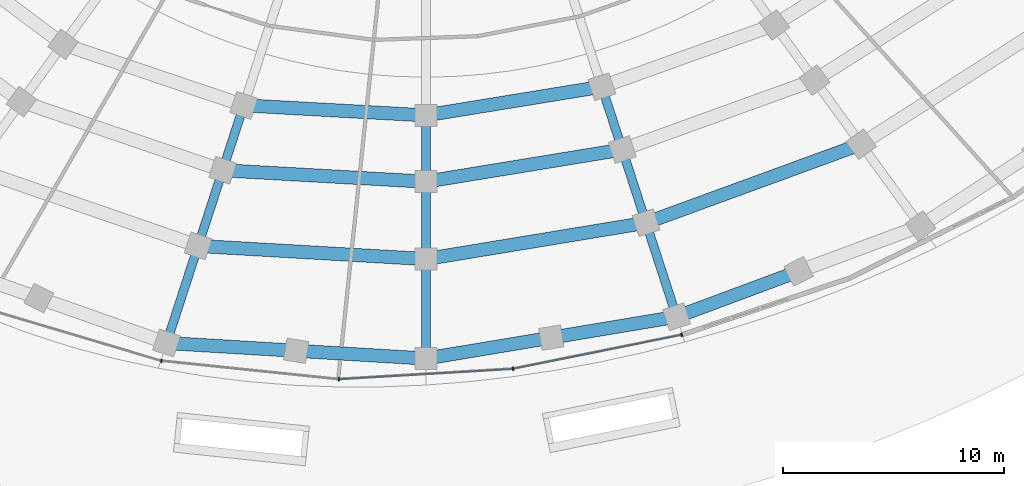
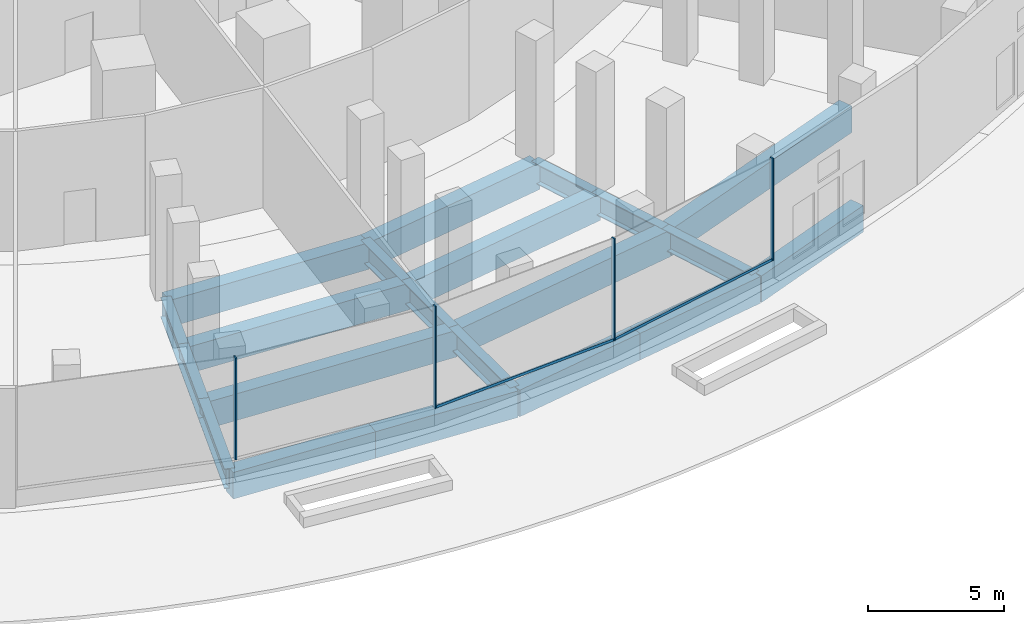
# One storey, part 4 of 23: 21 beams, 6 members, 1 element without a shape of its own.
"""IFC4 building model written with IfcOpenShell, lengths in metres."""

from ifc_helpers import new_model, si_unit, direction, frame, origin, origin_2d, place, context, subcontext, project, spatial, rectangle, i_section, extrude, material, material_profile, profile_set, type_object, element, aggregate, save


model = new_model("IFC4")

# Units and contexts
model_context = context("Model", 3, precision=1e-05, world=origin(), true_north=direction((0.0, 1.0)))
body_context = subcontext(model_context, "Body", "Model", "MODEL_VIEW")
ifc_project = project(units=[si_unit("LENGTHUNIT", "METRE"), si_unit("AREAUNIT", "SQUARE_METRE"), si_unit("VOLUMEUNIT", "CUBIC_METRE"), si_unit("PLANEANGLEUNIT", "RADIAN"), si_unit("MASSUNIT", "GRAM", prefix="KILO")], contexts=[model_context])

# Site, building, storey
site_placement = place(None, origin())
site = spatial("IfcSite", under=ifc_project, at=site_placement, CompositionType="ELEMENT")
building_placement = place(site_placement, origin())
building = spatial("IfcBuilding", under=site, at=building_placement, Name="Marramba Exchange Tower", CompositionType="ELEMENT")
storey_placement = place(building_placement, origin())
storey = spatial("IfcBuildingStorey", under=building, at=storey_placement, Name="L00", CompositionType="ELEMENT", Elevation=0.0)

# Beams
ifc_material_1 = material(Name="Concrete N50", Category="concrete")
ifc_material_profile_1 = material_profile(ifc_material_1, rectangle(XDim=0.60009765625, YDim=1.199951171875, at=origin_2d()), Name="RC 600x1200")
ifc_profile_set_1 = profile_set([ifc_material_profile_1], Name="Concrete N50")
beam_type_1 = type_object("IfcBeamType", Name="Edge beam RC 600x1200 N50", PredefinedType="SPANDREL", material=ifc_profile_set_1)
beam_1_placement = place(storey_placement, frame((-11.728759765625, -36.097412109375, -0.800048828125), z_axis=(0.998210455825, -0.059798711375, 0.0), x_axis=(0.059798711375, 0.998210455825, 0.0)))
element("IfcBeam", 1, at=beam_1_placement, inside=storey, type_object=beam_type_1, Name="Edge beam L00 P0C15 half 1", PredefinedType="SPANDREL", context=body_context, shape_type="SweptSolid", body=[
    extrude(rectangle(XDim=0.60009765625, YDim=1.199951171875, at=origin_2d()), origin(), (0.0, 0.0, 1.0), 5.875),
])
beam_2_placement = place(storey_placement, frame((-5.8642578125, -36.44873046875, -0.800048828125), z_axis=(0.998210307217, -0.05980119201, 0.0), x_axis=(0.05980119201, 0.998210307217, 0.0)))
element("IfcBeam", 2, at=beam_2_placement, inside=storey, type_object=beam_type_1, Name="Edge beam L00 P0C15 half 2", PredefinedType="SPANDREL", context=body_context, shape_type="SweptSolid", body=[
    extrude(rectangle(XDim=0.60009765625, YDim=1.199951171875, at=origin_2d()), origin(), (0.0, 0.0, 1.0), 5.874755859375),
])
beam_3_placement = place(storey_placement, frame((0.0, -36.800048828125, -0.800048828125), z_axis=(0.98642030603, 0.164240615717, 0.0), x_axis=(-0.164240615717, 0.98642030603, 0.0)))
element("IfcBeam", 3, at=beam_3_placement, inside=storey, type_object=beam_type_1, Name="Edge beam L00 P0C16 half 1", PredefinedType="SPANDREL", context=body_context, shape_type="SweptSolid", body=[
    extrude(rectangle(XDim=0.60009765625, YDim=1.199951171875, at=origin_2d()), origin(), (0.0, 0.0, 1.0), 5.749755859375),
])
beam_4_placement = place(storey_placement, frame((5.671630859375, -35.855712890625, -0.800048828125), z_axis=(0.986421451353, 0.164233736821, 0.0), x_axis=(-0.164233736821, 0.986421451353, 0.0)))
element("IfcBeam", 4, at=beam_4_placement, inside=storey, type_object=beam_type_1, Name="Edge beam L00 P0C16 half 2", PredefinedType="SPANDREL", context=body_context, shape_type="SweptSolid", body=[
    extrude(rectangle(XDim=0.60009765625, YDim=1.199951171875, at=origin_2d()), origin(), (0.0, 0.0, 1.0), 5.75),
])
beam_5_placement = place(storey_placement, frame((11.343505859375, -34.911376953125, -0.800048828125), z_axis=(0.937168261872, 0.348877699115, 0.0), x_axis=(-0.348877699115, 0.937168261872, 0.0)))
element("IfcBeam", 5, at=beam_5_placement, inside=storey, type_object=beam_type_1, Name="Edge beam L00 P0C17 half 1", PredefinedType="SPANDREL", context=body_context, shape_type="SweptSolid", body=[
    extrude(rectangle(XDim=0.60009765625, YDim=1.199951171875, at=origin_2d()), origin(), (0.0, 0.0, 1.0), 5.887939453125),
])
beam_6_placement = place(storey_placement, frame((-10.302001953125, -31.706298828125, -0.800048828125), z_axis=(0.99834326258, -0.057538943873, 0.0), x_axis=(0.057538943873, 0.99834326258, 0.0)))
element("IfcBeam", 6, at=beam_6_placement, inside=storey, type_object=beam_type_1, Name="Edge beam L00 P1C15", PredefinedType="SPANDREL", context=body_context, shape_type="SweptSolid", body=[
    extrude(rectangle(XDim=0.60009765625, YDim=1.199951171875, at=origin_2d()), origin(), (0.0, 0.0, 1.0), 10.319091796875),
])
beam_7_placement = place(storey_placement, frame((0.0, -32.300048828125, -0.800048828125), z_axis=(0.986720687671, 0.16242624333, 0.0), x_axis=(-0.16242624333, 0.986720687671, 0.0)))
element("IfcBeam", 7, at=beam_7_placement, inside=storey, type_object=beam_type_1, Name="Edge beam L00 P1C16", PredefinedType="SPANDREL", context=body_context, shape_type="SweptSolid", body=[
    extrude(rectangle(XDim=0.60009765625, YDim=1.199951171875, at=origin_2d()), origin(), (0.0, 0.0, 1.0), 10.09619140625),
])
beam_8_placement = place(storey_placement, frame((9.962158203125, -30.66015625, -0.800048828125), z_axis=(0.939206472346, 0.343352883057, 0.0), x_axis=(-0.343352883057, 0.939206472346, 0.0)))
element("IfcBeam", 8, at=beam_8_placement, inside=storey, type_object=beam_type_1, Name="Edge beam L00 P1C17", PredefinedType="SPANDREL", context=body_context, shape_type="SweptSolid", body=[
    extrude(rectangle(XDim=0.60009765625, YDim=1.199951171875, at=origin_2d()), origin(), (0.0, 0.0, 1.0), 10.359375),
])
beam_9_placement = place(storey_placement, frame((-9.190185546875, -28.28466796875, -0.800048828125), z_axis=(0.998431244986, -0.055991508598, 0.0), x_axis=(0.055991508598, 0.998431244986, 0.0)))
element("IfcBeam", 9, at=beam_9_placement, inside=storey, type_object=beam_type_1, Name="Edge beam L00 P2C15", PredefinedType="SPANDREL", context=body_context, shape_type="SweptSolid", body=[
    extrude(rectangle(XDim=0.60009765625, YDim=1.199951171875, at=origin_2d()), origin(), (0.0, 0.0, 1.0), 9.20458984375),
])
beam_10_placement = place(storey_placement, frame((0.0, -28.800048828125, -0.800048828125), z_axis=(0.986899242558, 0.161337797923, 0.0), x_axis=(-0.161337797923, 0.986899242558, 0.0)))
element("IfcBeam", 10, at=beam_10_placement, inside=storey, type_object=beam_type_1, Name="Edge beam L00 P2C16", PredefinedType="SPANDREL", context=body_context, shape_type="SweptSolid", body=[
    extrude(rectangle(XDim=0.60009765625, YDim=1.199951171875, at=origin_2d()), origin(), (0.0, 0.0, 1.0), 9.003662109375),
])
beam_11_placement = place(storey_placement, frame((-8.23583984375, -25.347412109375, -0.800048828125), z_axis=(0.998493145598, -0.054876572358, 0.0), x_axis=(0.054876572358, 0.998493145598, 0.0)))
element("IfcBeam", 11, at=beam_11_placement, inside=storey, type_object=beam_type_1, Name="Edge beam L00 P3C15", PredefinedType="SPANDREL", context=body_context, shape_type="SweptSolid", body=[
    extrude(rectangle(XDim=0.60009765625, YDim=1.199951171875, at=origin_2d()), origin(), (0.0, 0.0, 1.0), 8.248291015625),
])
beam_12_placement = place(storey_placement, frame((0.0, -25.800048828125, -0.800048828125), z_axis=(0.987006935066, 0.160677659091, 0.0), x_axis=(-0.160677659091, 0.987006935066, 0.0)))
element("IfcBeam", 12, at=beam_12_placement, inside=storey, type_object=beam_type_1, Name="Edge beam L00 P3C16", PredefinedType="SPANDREL", context=body_context, shape_type="SweptSolid", body=[
    extrude(rectangle(XDim=0.60009765625, YDim=1.199951171875, at=origin_2d()), origin(), (0.0, 0.0, 1.0), 8.066650390625),
])

# Curtain wall, members
ifc_material_2 = material(Name="Aluminium framing, bronze anodised", Category="aluminium")
curtain_wall_type = type_object("IfcCurtainWallType", Name="Exchange hall glazed wall", PredefinedType="USERDEFINED", material=ifc_material_2)
curtain_wall_placement = place(storey_placement, origin())
curtain_wall = element("IfcCurtainWall", 13, at=curtain_wall_placement, inside=storey, type_object=curtain_wall_type, Name="Curtain wall CW1 L00 F21-F24", ObjectType="RIBBON CURTAIN WALL", PredefinedType="USERDEFINED")
ifc_material_3 = material(Name="Aluminium mullion, bronze anodised", Category="aluminium")
ifc_material_profile_2 = material_profile(ifc_material_3, rectangle(XDim=0.159912109375, YDim=0.06005859375, at=origin_2d()), Name="CW1 mullion 60x160")
ifc_profile_set_2 = profile_set([ifc_material_profile_2], Name="Aluminium mullion, bronze anodised")
member_type_1 = type_object("IfcMemberType", Name="Exchange hall glazed wall mullion", PredefinedType="MULLION", material=ifc_profile_set_2)
member_1_placement = place(storey_placement, frame((-11.961669921875, -36.90869140625, 0.800048828125), z_axis=(0.0, 0.0, 1.0), x_axis=(0.103042834628, 0.994676919523, 0.0)))
member_1 = element("IfcMember", 14, at=member_1_placement, type_object=member_type_1, Name="CW1 mullion 1", PredefinedType="MULLION", context=body_context, shape_type="SweptSolid", body=[
    extrude(rectangle(XDim=0.159912109375, YDim=0.06005859375, at=origin_2d()), origin(), (0.0, 0.0, 1.0), 4.599853515625),
])
member_2_placement = place(storey_placement, frame((-3.936279296875, -37.7353515625, 0.800048828125), z_axis=(0.0, 0.0, 1.0), x_axis=(-0.059243571935, 0.998243557046, 0.0)))
member_2 = element("IfcMember", 15, at=member_2_placement, type_object=member_type_1, Name="CW1 mullion 1", PredefinedType="MULLION", context=body_context, shape_type="SweptSolid", body=[
    extrude(rectangle(XDim=0.159912109375, YDim=0.06005859375, at=origin_2d()), origin(), (0.0, 0.0, 1.0), 4.599853515625),
])
member_3_placement = place(storey_placement, frame((3.946533203125, -37.26318359375, 0.800048828125), z_axis=(0.0, 0.0, 1.0), x_axis=(-0.197535139708, 0.980295806673, 0.0)))
member_3 = element("IfcMember", 16, at=member_3_placement, type_object=member_type_1, Name="CW1 mullion 1", PredefinedType="MULLION", context=body_context, shape_type="SweptSolid", body=[
    extrude(rectangle(XDim=0.159912109375, YDim=0.06005859375, at=origin_2d()), origin(), (0.0, 0.0, 1.0), 4.599853515625),
])
member_4_placement = place(storey_placement, frame((11.57666015625, -35.725830078125, 0.800048828125), z_axis=(0.0, 0.0, 1.0), x_axis=(-0.197535139708, 0.980295806673, 0.0)))
member_4 = element("IfcMember", 17, at=member_4_placement, type_object=member_type_1, Name="CW1 mullion 2", PredefinedType="MULLION", context=body_context, shape_type="SweptSolid", body=[
    extrude(rectangle(XDim=0.159912109375, YDim=0.06005859375, at=origin_2d()), origin(), (0.0, 0.0, 1.0), 4.599853515625),
])
ifc_material_4 = material(Name="Aluminium transom, bronze anodised", Category="aluminium")
ifc_material_profile_3 = material_profile(ifc_material_4, rectangle(XDim=0.06005859375, YDim=0.1201171875, at=origin_2d()), Name="CW1 transom 60x120")
ifc_profile_set_3 = profile_set([ifc_material_profile_3], Name="Aluminium transom, bronze anodised")
member_type_2 = type_object("IfcMemberType", Name="Exchange hall glazed wall transom", PredefinedType="USERDEFINED", material=ifc_profile_set_3)
member_5_placement = place(storey_placement, frame((-3.906494140625, -37.7333984375, 0.830078125), z_axis=(0.998245141025, 0.05921687615, 0.0), x_axis=(-0.05921687615, 0.998245141025, 0.0)))
member_5 = element("IfcMember", 18, at=member_5_placement, type_object=member_type_2, Name="CW1 sill transom", ObjectType="TRANSOM", PredefinedType="USERDEFINED", context=body_context, shape_type="SweptSolid", body=[
    extrude(rectangle(XDim=0.06005859375, YDim=0.1201171875, at=origin_2d()), origin(), (0.0, 0.0, 1.0), 7.83740234375),
])
member_6_placement = place(storey_placement, frame((3.97607421875, -37.25732421875, 0.830078125), z_axis=(0.980296376488, 0.197532311901, 0.0), x_axis=(-0.197532311901, 0.980296376488, 0.0)))
member_6 = element("IfcMember", 19, at=member_6_placement, type_object=member_type_2, Name="CW1 sill transom", ObjectType="TRANSOM", PredefinedType="USERDEFINED", context=body_context, shape_type="SweptSolid", body=[
    extrude(rectangle(XDim=0.06005859375, YDim=0.1201171875, at=origin_2d()), origin(), (0.0, 0.0, 1.0), 7.723388671875),
])
aggregate(curtain_wall, [member_1, member_2, member_5, member_3, member_4, member_6])

# Beams
ifc_material_5 = material(Name="Steel AS/NZS 3679.2 grade 300", Category="steel")
ifc_material_profile_4 = material_profile(ifc_material_5, i_section(OverallWidth=0.39990234375, OverallDepth=0.89990234375, WebThickness=0.01611328125, FlangeThickness=0.031982421875, at=origin_2d()), Name="900WB282")
ifc_profile_set_4 = profile_set([ifc_material_profile_4], Name="Steel AS/NZS 3679.2 grade 300")
beam_type_2 = type_object("IfcBeamType", Name="Radial girder 900WB282", PredefinedType="BEAM", material=ifc_profile_set_4)
beam_13_placement = place(storey_placement, frame((-11.728759765625, -36.097412109375, -0.64990234375), z_axis=(0.309016723837, 0.951056604198, 0.0), x_axis=(-0.951056604198, 0.309016723837, 0.0)))
element("IfcBeam", 20, at=beam_13_placement, inside=storey, type_object=beam_type_2, Name="Radial girder L00 P0C15", PredefinedType="BEAM", context=body_context, shape_type="SweptSolid", body=[
    extrude(i_section(OverallWidth=0.39990234375, OverallDepth=0.89990234375, WebThickness=0.01611328125, FlangeThickness=0.031982421875, at=origin_2d()), origin(), (0.0, 0.0, 1.0), 4.6171875),
])
beam_14_placement = place(storey_placement, frame((0.0, -36.800048828125, -0.64990234375), z_axis=(0.0, 1.0, 0.0), x_axis=(-1.0, 0.0, 0.0)))
element("IfcBeam", 21, at=beam_14_placement, inside=storey, type_object=beam_type_2, Name="Radial girder L00 P0C16", PredefinedType="BEAM", context=body_context, shape_type="SweptSolid", body=[
    extrude(i_section(OverallWidth=0.39990234375, OverallDepth=0.89990234375, WebThickness=0.01611328125, FlangeThickness=0.031982421875, at=origin_2d()), origin(), (0.0, 0.0, 1.0), 4.5),
])
beam_15_placement = place(storey_placement, frame((11.343505859375, -34.911376953125, -0.64990234375), z_axis=(-0.309025557178, 0.951053734029, 0.0), x_axis=(-0.951053734029, -0.309025557178, 0.0)))
element("IfcBeam", 22, at=beam_15_placement, inside=storey, type_object=beam_type_2, Name="Radial girder L00 P0C17", PredefinedType="BEAM", context=body_context, shape_type="SweptSolid", body=[
    extrude(i_section(OverallWidth=0.39990234375, OverallDepth=0.89990234375, WebThickness=0.01611328125, FlangeThickness=0.031982421875, at=origin_2d()), origin(), (0.0, 0.0, 1.0), 4.469970703125),
])
beam_16_placement = place(storey_placement, frame((-10.302001953125, -31.706298828125, -0.64990234375), z_axis=(0.309032367287, 0.951051521196, 0.0), x_axis=(-0.951051521196, 0.309032367287, 0.0)))
element("IfcBeam", 23, at=beam_16_placement, inside=storey, type_object=beam_type_2, Name="Radial girder L00 P1C15", PredefinedType="BEAM", context=body_context, shape_type="SweptSolid", body=[
    extrude(i_section(OverallWidth=0.39990234375, OverallDepth=0.89990234375, WebThickness=0.01611328125, FlangeThickness=0.031982421875, at=origin_2d()), origin(), (0.0, 0.0, 1.0), 3.59765625),
])
beam_17_placement = place(storey_placement, frame((0.0, -32.300048828125, -0.64990234375), z_axis=(0.0, 1.0, 0.0), x_axis=(-1.0, 0.0, 0.0)))
element("IfcBeam", 24, at=beam_17_placement, inside=storey, type_object=beam_type_2, Name="Radial girder L00 P1C16", PredefinedType="BEAM", context=body_context, shape_type="SweptSolid", body=[
    extrude(i_section(OverallWidth=0.39990234375, OverallDepth=0.89990234375, WebThickness=0.01611328125, FlangeThickness=0.031982421875, at=origin_2d()), origin(), (0.0, 0.0, 1.0), 3.5),
])
beam_18_placement = place(storey_placement, frame((9.962158203125, -30.66015625, -0.64990234375), z_axis=(-0.309027432175, 0.951053124785, 0.0), x_axis=(-0.951053124785, -0.309027432175, 0.0)))
element("IfcBeam", 25, at=beam_18_placement, inside=storey, type_object=beam_type_2, Name="Radial girder L00 P1C17", PredefinedType="BEAM", context=body_context, shape_type="SweptSolid", body=[
    extrude(i_section(OverallWidth=0.39990234375, OverallDepth=0.89990234375, WebThickness=0.01611328125, FlangeThickness=0.031982421875, at=origin_2d()), origin(), (0.0, 0.0, 1.0), 3.483154296875),
])
beam_19_placement = place(storey_placement, frame((-9.190185546875, -28.28466796875, -0.64990234375), z_axis=(0.309009210268, 0.951059045469, 0.0), x_axis=(-0.951059045469, 0.309009210268, 0.0)))
element("IfcBeam", 26, at=beam_19_placement, inside=storey, type_object=beam_type_2, Name="Radial girder L00 P2C15", PredefinedType="BEAM", context=body_context, shape_type="SweptSolid", body=[
    extrude(i_section(OverallWidth=0.39990234375, OverallDepth=0.89990234375, WebThickness=0.01611328125, FlangeThickness=0.031982421875, at=origin_2d()), origin(), (0.0, 0.0, 1.0), 3.08837890625),
])
beam_20_placement = place(storey_placement, frame((0.0, -28.800048828125, -0.64990234375), z_axis=(0.0, 1.0, 0.0), x_axis=(-1.0, 0.0, 0.0)))
element("IfcBeam", 27, at=beam_20_placement, inside=storey, type_object=beam_type_2, Name="Radial girder L00 P2C16", PredefinedType="BEAM", context=body_context, shape_type="SweptSolid", body=[
    extrude(i_section(OverallWidth=0.39990234375, OverallDepth=0.89990234375, WebThickness=0.01611328125, FlangeThickness=0.031982421875, at=origin_2d()), origin(), (0.0, 0.0, 1.0), 3.0),
])
beam_21_placement = place(storey_placement, frame((8.8857421875, -27.347412109375, -0.64990234375), z_axis=(-0.308991903915, 0.951064668314, 0.0), x_axis=(-0.951064668314, -0.308991903915, 0.0)))
element("IfcBeam", 28, at=beam_21_placement, inside=storey, type_object=beam_type_2, Name="Radial girder L00 P2C17", PredefinedType="BEAM", context=body_context, shape_type="SweptSolid", body=[
    extrude(i_section(OverallWidth=0.39990234375, OverallDepth=0.89990234375, WebThickness=0.01611328125, FlangeThickness=0.031982421875, at=origin_2d()), origin(), (0.0, 0.0, 1.0), 2.98974609375),
])

save(model, "model.ifc")
